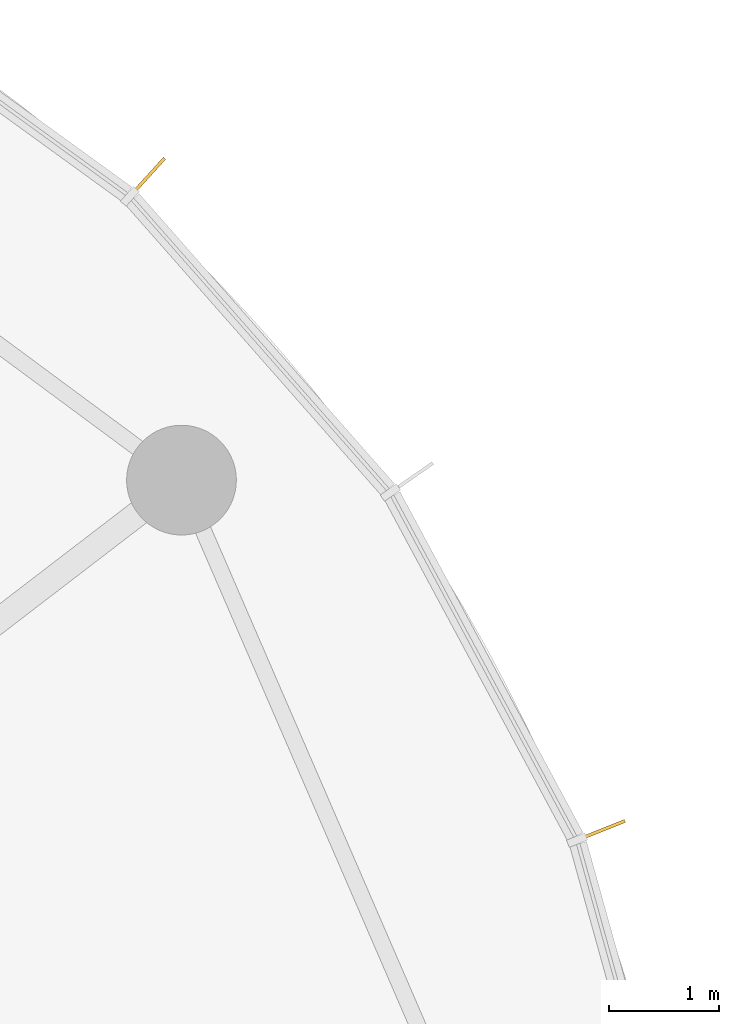
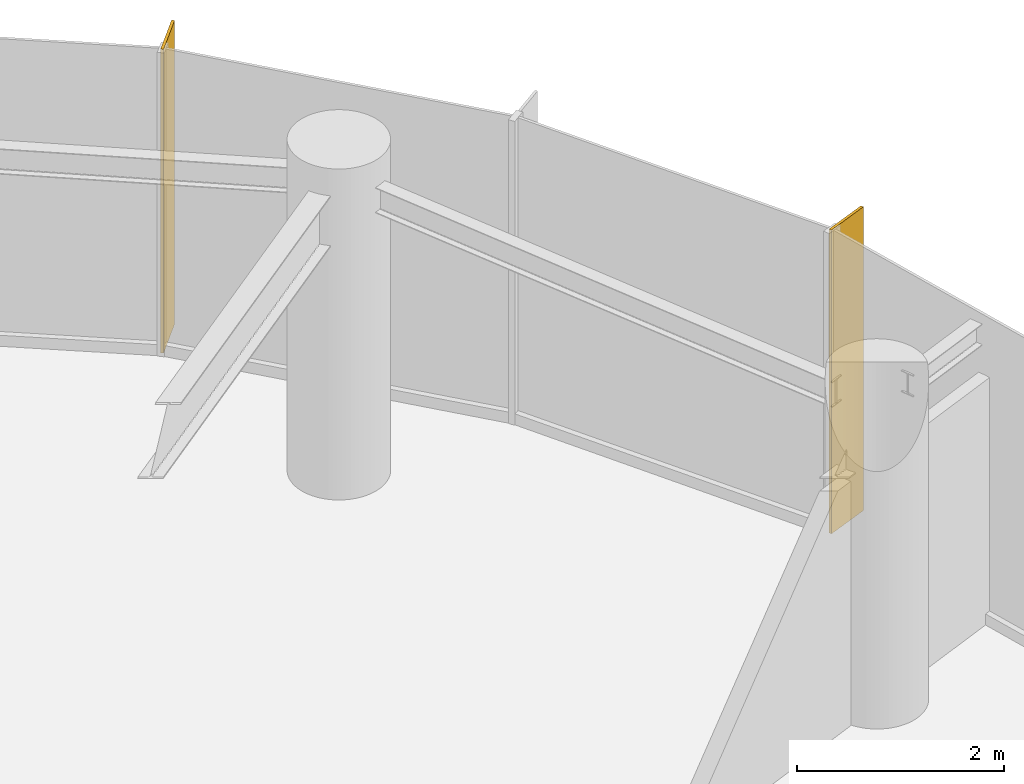
# One storey, part 14 of 14: 2 shading devices.
"""IFC4 building model written with IfcOpenShell, lengths in metres."""

from ifc_helpers import new_model, si_unit, direction, frame, origin, origin_2d, place, context, subcontext, project, spatial, rectangle, extrude, source, transform, mapped, material, material_profile, profile_set, type_object, element, save


model = new_model("IFC4")

# Units and contexts
model_context = context("Model", 3, precision=1e-05, world=origin(), true_north=direction((0.0, 1.0)))
body_context = subcontext(model_context, "Body", "Model", "MODEL_VIEW")
ifc_project = project(units=[si_unit("LENGTHUNIT", "METRE"), si_unit("AREAUNIT", "SQUARE_METRE"), si_unit("VOLUMEUNIT", "CUBIC_METRE"), si_unit("PLANEANGLEUNIT", "RADIAN"), si_unit("MASSUNIT", "GRAM", prefix="KILO")], contexts=[model_context])

# Site, building, storey
site_placement = place(None, origin())
site = spatial("IfcSite", under=ifc_project, at=site_placement, CompositionType="ELEMENT")
building_placement = place(site_placement, origin())
building = spatial("IfcBuilding", under=site, at=building_placement, Name="Spindrift Exchange Tower", CompositionType="ELEMENT")
storey_placement = place(building_placement, frame((0.0, 0.0, 160.39990234375)))
storey = spatial("IfcBuildingStorey", under=building, at=storey_placement, Name="L38", CompositionType="ELEMENT", Elevation=160.39990234375)

# Shading devices
ifc_material = material(Name="Bronze anodised aluminium", Category="aluminium")
ifc_material_profile = material_profile(ifc_material, rectangle(XDim=0.030029296875, YDim=0.5, at=origin_2d()), Name="WIND FIN 30X500")
ifc_profile_set = profile_set([ifc_material_profile], Name="Bronze anodised aluminium")
shading_device_type = type_object("IfcShadingDeviceType", Name="WIND FIN 30X500", PredefinedType="USERDEFINED", material=ifc_profile_set)
shared_shape = source(origin(), body_context, "Body", "SweptSolid", [
    extrude(rectangle(XDim=0.030029296875, YDim=0.5, at=origin_2d()), origin(), (0.0, 0.0, 1.0), 3.580078125),
])
for number, where, z_axis, x_axis, name in (
    (1, (71.50341796875, 65.961181640625, 0.0), (0.0, 0.0, 1.0), (-0.739763813605, 0.672866628746, 0.0), "L38 wind fin 3"),
    (2, (75.63525390625, 60.014892578125, 0.0), (0.0, 0.0, 1.0), (-0.372631491543, 0.927979402525, 0.0), "L38 wind fin 4"),
):
    element("IfcShadingDevice", number, at=place(storey_placement, frame(where, z_axis=z_axis, x_axis=x_axis)), inside=storey, type_object=shading_device_type, Name=name, ObjectType="FIN", PredefinedType="USERDEFINED", context=body_context, shape_type="MappedRepresentation", body=[
        mapped(shared_shape, transform((0.0, 0.0, 0.0), scale=1.0)),
    ])

save(model, "model.ifc")
